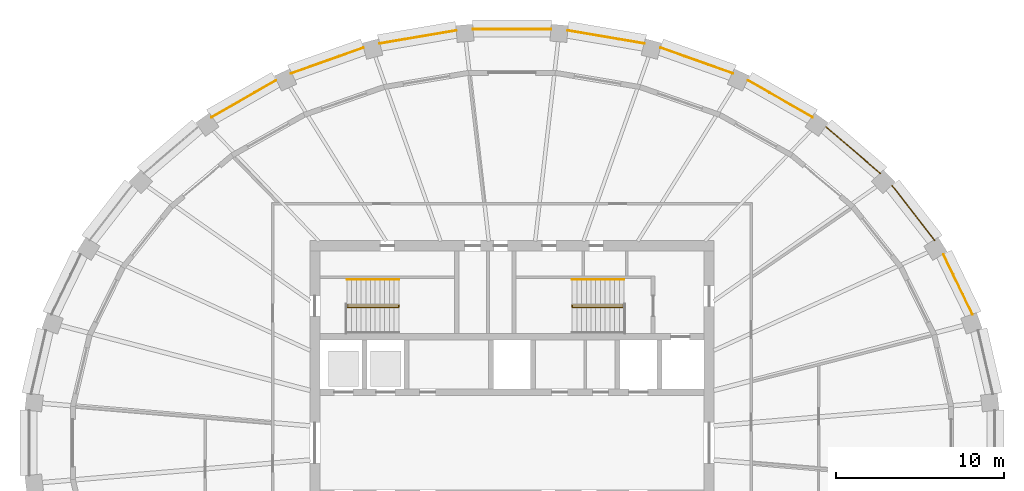
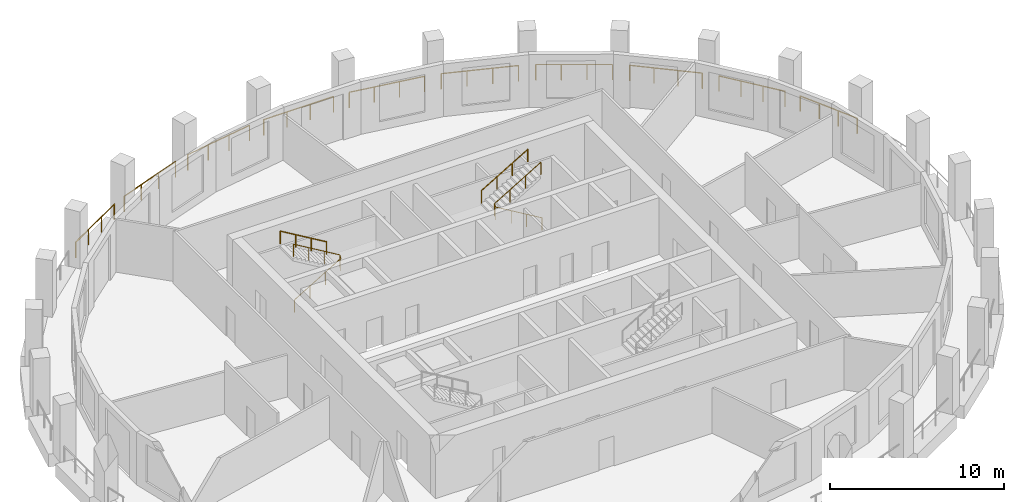
# One storey, part 9 of 10: 14 railings.
"""IFC4 building model written with IfcOpenShell, lengths in metres."""

from ifc_helpers import new_model, si_unit, direction, frame, origin, origin_2d, place, context, subcontext, project, spatial, circle, extrude, material, type_object, element, save


model = new_model("IFC4")

# Units and contexts
model_context = context("Model", 3, precision=1e-05, world=origin(), true_north=direction((0.0, 1.0)))
body_context = subcontext(model_context, "Body", "Model", "MODEL_VIEW")
ifc_project = project(units=[si_unit("LENGTHUNIT", "METRE"), si_unit("AREAUNIT", "SQUARE_METRE"), si_unit("VOLUMEUNIT", "CUBIC_METRE"), si_unit("PLANEANGLEUNIT", "RADIAN"), si_unit("MASSUNIT", "GRAM", prefix="KILO")], contexts=[model_context])

# Site, building, storey
site_placement = place(None, origin())
site = spatial("IfcSite", under=ifc_project, at=site_placement, CompositionType="ELEMENT")
building_placement = place(site_placement, origin())
building = spatial("IfcBuilding", under=site, at=building_placement, Name="Halqa Exchange Tower", CompositionType="ELEMENT")
storey_placement = place(building_placement, frame((0.0, 0.0, 312.300048828125)))
storey = spatial("IfcBuildingStorey", under=building, at=storey_placement, Name="L73", CompositionType="ELEMENT", Elevation=312.300048828125)

# Railings
ifc_material = material(Name="Stainless steel", Category="steel")
railing_type_1 = type_object("IfcRailingType", Name="Guard 1100 stainless steel", PredefinedType="GUARDRAIL", material=ifc_material)
railing_1_placement = place(storey_placement, frame((27.337646484375, 7.614990234375, 0.0)))
element("IfcRailing", 1, at=railing_1_placement, inside=storey, type_object=railing_type_1, Name="Loggia guard 2", PredefinedType="GUARDRAIL", context=body_context, shape_type="SweptSolid", body=[
    extrude(circle(Radius=0.02392578125, at=origin_2d()), frame((0.0, 0.0, 1.076171875), z_axis=(-0.435127892991, 0.900368656019, 0.0), x_axis=(-0.900368656019, -0.435127892991, 0.0)), (0.0, 0.0, 1.0), 3.964599609375),
    extrude(circle(Radius=0.02099609375, at=origin_2d()), origin(), (0.0, 0.0, 1.0), 1.052001953125),
    extrude(circle(Radius=0.02099609375, at=origin_2d()), frame((-0.574951171875, 1.18994140625, 0.0)), (0.0, 0.0, 1.0), 1.052001953125),
    extrude(circle(Radius=0.02099609375, at=origin_2d()), frame((-1.150146484375, 2.379638671875, 0.0)), (0.0, 0.0, 1.0), 1.052001953125),
    extrude(circle(Radius=0.02099609375, at=origin_2d()), frame((-1.72509765625, 3.569580078125, 0.0)), (0.0, 0.0, 1.0), 1.052001953125),
])
railing_2_placement = place(storey_placement, frame((25.087646484375, 12.029052734375, 0.0)))
element("IfcRailing", 2, at=railing_2_placement, inside=storey, type_object=railing_type_1, Name="Loggia guard 3", PredefinedType="GUARDRAIL", context=body_context, shape_type="SweptSolid", body=[
    extrude(circle(Radius=0.02392578125, at=origin_2d()), frame((0.0, 0.0, 1.076171875), z_axis=(-0.61479340321, 0.788688196545, 0.0), x_axis=(-0.788688196545, -0.61479340321, 0.0)), (0.0, 0.0, 1.0), 4.10107421875),
    extrude(circle(Radius=0.02099609375, at=origin_2d()), origin(), (0.0, 0.0, 1.0), 1.052001953125),
    extrude(circle(Radius=0.02099609375, at=origin_2d()), frame((-0.84033203125, 1.078125, 0.0)), (0.0, 0.0, 1.0), 1.052001953125),
    extrude(circle(Radius=0.02099609375, at=origin_2d()), frame((-1.680908203125, 2.15625, 0.0)), (0.0, 0.0, 1.0), 1.052001953125),
    extrude(circle(Radius=0.02099609375, at=origin_2d()), frame((-2.521240234375, 3.234375, 0.0)), (0.0, 0.0, 1.0), 1.052001953125),
])
railing_3_placement = place(storey_placement, frame((21.879150390625, 15.983154296875, 0.0)))
element("IfcRailing", 3, at=railing_3_placement, inside=storey, type_object=railing_type_1, Name="Loggia guard 4", PredefinedType="GUARDRAIL", context=body_context, shape_type="SweptSolid", body=[
    extrude(circle(Radius=0.02392578125, at=origin_2d()), frame((0.0, 0.0, 1.076171875), z_axis=(-0.759248505923, 0.650800819187, 0.0), x_axis=(-0.650800819187, -0.759248505923, 0.0)), (0.0, 0.0, 1.0), 4.257080078125),
    extrude(circle(Radius=0.02099609375, at=origin_2d()), origin(), (0.0, 0.0, 1.0), 1.052001953125),
    extrude(circle(Radius=0.02099609375, at=origin_2d()), frame((-1.077392578125, 0.923583984375, 0.0)), (0.0, 0.0, 1.0), 1.052001953125),
    extrude(circle(Radius=0.02099609375, at=origin_2d()), frame((-2.15478515625, 1.846923828125, 0.0)), (0.0, 0.0, 1.0), 1.052001953125),
    extrude(circle(Radius=0.02099609375, at=origin_2d()), frame((-3.232177734375, 2.7705078125, 0.0)), (0.0, 0.0, 1.0), 1.052001953125),
])
railing_4_placement = place(storey_placement, frame((17.83349609375, 19.327392578125, 0.0)))
element("IfcRailing", 4, at=railing_4_placement, inside=storey, type_object=railing_type_1, Name="Loggia guard 5", PredefinedType="GUARDRAIL", context=body_context, shape_type="SweptSolid", body=[
    extrude(circle(Radius=0.02392578125, at=origin_2d()), frame((0.0, 0.0, 1.076171875), z_axis=(-0.867748583413, 0.497003416473, 0.0), x_axis=(-0.497003416473, -0.867748583413, 0.0)), (0.0, 0.0, 1.0), 4.40869140625),
    extrude(circle(Radius=0.02099609375, at=origin_2d()), origin(), (0.0, 0.0, 1.0), 1.052001953125),
    extrude(circle(Radius=0.02099609375, at=origin_2d()), frame((-1.275146484375, 0.73046875, 0.0)), (0.0, 0.0, 1.0), 1.052001953125),
    extrude(circle(Radius=0.02099609375, at=origin_2d()), frame((-2.550537109375, 1.460693359375, 0.0)), (0.0, 0.0, 1.0), 1.052001953125),
    extrude(circle(Radius=0.02099609375, at=origin_2d()), frame((-3.82568359375, 2.191162109375, 0.0)), (0.0, 0.0, 1.0), 1.052001953125),
])
railing_5_placement = place(storey_placement, frame((13.102783203125, 21.934326171875, 0.0)))
element("IfcRailing", 5, at=railing_5_placement, inside=storey, type_object=railing_type_1, Name="Loggia guard 6", PredefinedType="GUARDRAIL", context=body_context, shape_type="SweptSolid", body=[
    extrude(circle(Radius=0.02392578125, at=origin_2d()), frame((0.0, 0.0, 1.076171875), z_axis=(-0.942366421866, 0.334582616014, 0.0), x_axis=(-0.334582616014, -0.942366421866, 0.0)), (0.0, 0.0, 1.0), 4.5341796875),
    extrude(circle(Radius=0.02099609375, at=origin_2d()), origin(), (0.0, 0.0, 1.0), 1.052001953125),
    extrude(circle(Radius=0.02099609375, at=origin_2d()), frame((-1.42431640625, 0.505615234375, 0.0)), (0.0, 0.0, 1.0), 1.052001953125),
    extrude(circle(Radius=0.02099609375, at=origin_2d()), frame((-2.8486328125, 1.011474609375, 0.0)), (0.0, 0.0, 1.0), 1.052001953125),
    extrude(circle(Radius=0.02099609375, at=origin_2d()), frame((-4.27294921875, 1.51708984375, 0.0)), (0.0, 0.0, 1.0), 1.052001953125),
])
railing_6_placement = place(storey_placement, frame((7.865966796875, 23.702880859375, 0.0)))
element("IfcRailing", 6, at=railing_6_placement, inside=storey, type_object=railing_type_1, Name="Loggia guard 7", PredefinedType="GUARDRAIL", context=body_context, shape_type="SweptSolid", body=[
    extrude(circle(Radius=0.02392578125, at=origin_2d()), frame((0.0, 0.0, 1.076171875), z_axis=(-0.985784105036, 0.168016958246, 0.0), x_axis=(-0.168016958246, -0.985784105036, 0.0)), (0.0, 0.0, 1.0), 4.616455078125),
    extrude(circle(Radius=0.02099609375, at=origin_2d()), origin(), (0.0, 0.0, 1.0), 1.052001953125),
    extrude(circle(Radius=0.02099609375, at=origin_2d()), frame((-1.516845703125, 0.258544921875, 0.0)), (0.0, 0.0, 1.0), 1.052001953125),
    extrude(circle(Radius=0.02099609375, at=origin_2d()), frame((-3.033935546875, 0.51708984375, 0.0)), (0.0, 0.0, 1.0), 1.052001953125),
    extrude(circle(Radius=0.02099609375, at=origin_2d()), frame((-4.55078125, 0.775634765625, 0.0)), (0.0, 0.0, 1.0), 1.052001953125),
])
railing_7_placement = place(storey_placement, frame((2.322509765625, 24.562744140625, 0.0)))
element("IfcRailing", 7, at=railing_7_placement, inside=storey, type_object=railing_type_1, Name="Loggia guard 8", PredefinedType="GUARDRAIL", context=body_context, shape_type="SweptSolid", body=[
    extrude(circle(Radius=0.02392578125, at=origin_2d()), frame((0.0, 0.0, 1.076171875), z_axis=(-1.0, 0.0, 0.0), x_axis=(0.0, -1.0, 0.0)), (0.0, 0.0, 1.0), 4.64501953125),
    extrude(circle(Radius=0.02099609375, at=origin_2d()), origin(), (0.0, 0.0, 1.0), 1.052001953125),
    extrude(circle(Radius=0.02099609375, at=origin_2d()), frame((-1.54833984375, 0.0, 0.0)), (0.0, 0.0, 1.0), 1.052001953125),
    extrude(circle(Radius=0.02099609375, at=origin_2d()), frame((-3.0966796875, 0.0, 0.0)), (0.0, 0.0, 1.0), 1.052001953125),
    extrude(circle(Radius=0.02099609375, at=origin_2d()), frame((-4.64501953125, 0.0, 0.0)), (0.0, 0.0, 1.0), 1.052001953125),
])
railing_8_placement = place(storey_placement, frame((-3.315185546875, 24.478515625, 0.0)))
element("IfcRailing", 8, at=railing_8_placement, inside=storey, type_object=railing_type_1, Name="Loggia guard 9", PredefinedType="GUARDRAIL", context=body_context, shape_type="SweptSolid", body=[
    extrude(circle(Radius=0.02392578125, at=origin_2d()), frame((0.0, 0.0, 1.076171875), z_axis=(-0.985784105036, -0.168016958246, 0.0), x_axis=(0.168016958246, -0.985784105036, 0.0)), (0.0, 0.0, 1.0), 4.616455078125),
    extrude(circle(Radius=0.02099609375, at=origin_2d()), origin(), (0.0, 0.0, 1.0), 1.052001953125),
    extrude(circle(Radius=0.02099609375, at=origin_2d()), frame((-1.516845703125, -0.258544921875, 0.0)), (0.0, 0.0, 1.0), 1.052001953125),
    extrude(circle(Radius=0.02099609375, at=origin_2d()), frame((-3.033935546875, -0.51708984375, 0.0)), (0.0, 0.0, 1.0), 1.052001953125),
    extrude(circle(Radius=0.02099609375, at=origin_2d()), frame((-4.55078125, -0.775634765625, 0.0)), (0.0, 0.0, 1.0), 1.052001953125),
])
railing_9_placement = place(storey_placement, frame((-8.829833984375, 23.451416015625, 0.0)))
element("IfcRailing", 9, at=railing_9_placement, inside=storey, type_object=railing_type_1, Name="Loggia guard 10", PredefinedType="GUARDRAIL", context=body_context, shape_type="SweptSolid", body=[
    extrude(circle(Radius=0.02392578125, at=origin_2d()), frame((0.0, 0.0, 1.076171875), z_axis=(-0.942366421866, -0.334582616014, 0.0), x_axis=(0.334582616014, -0.942366421866, 0.0)), (0.0, 0.0, 1.0), 4.5341796875),
    extrude(circle(Radius=0.02099609375, at=origin_2d()), origin(), (0.0, 0.0, 1.0), 1.052001953125),
    extrude(circle(Radius=0.02099609375, at=origin_2d()), frame((-1.42431640625, -0.505615234375, 0.0)), (0.0, 0.0, 1.0), 1.052001953125),
    extrude(circle(Radius=0.02099609375, at=origin_2d()), frame((-2.8486328125, -1.011474609375, 0.0)), (0.0, 0.0, 1.0), 1.052001953125),
    extrude(circle(Radius=0.02099609375, at=origin_2d()), frame((-4.27294921875, -1.51708984375, 0.0)), (0.0, 0.0, 1.0), 1.052001953125),
])
railing_10_placement = place(storey_placement, frame((-14.0078125, 21.5185546875, 0.0)))
element("IfcRailing", 10, at=railing_10_placement, inside=storey, type_object=railing_type_1, Name="Loggia guard 11", PredefinedType="GUARDRAIL", context=body_context, shape_type="SweptSolid", body=[
    extrude(circle(Radius=0.02392578125, at=origin_2d()), frame((0.0, 0.0, 1.076171875), z_axis=(-0.867748583413, -0.497003416473, 0.0), x_axis=(0.497003416473, -0.867748583413, 0.0)), (0.0, 0.0, 1.0), 4.40869140625),
    extrude(circle(Radius=0.02099609375, at=origin_2d()), origin(), (0.0, 0.0, 1.0), 1.052001953125),
    extrude(circle(Radius=0.02099609375, at=origin_2d()), frame((-1.275146484375, -0.73046875, 0.0)), (0.0, 0.0, 1.0), 1.052001953125),
    extrude(circle(Radius=0.02099609375, at=origin_2d()), frame((-2.550537109375, -1.460693359375, 0.0)), (0.0, 0.0, 1.0), 1.052001953125),
    extrude(circle(Radius=0.02099609375, at=origin_2d()), frame((-3.82568359375, -2.191162109375, 0.0)), (0.0, 0.0, 1.0), 1.052001953125),
])
railing_type_2 = type_object("IfcRailingType", Name="Stair handrail 900", PredefinedType="HANDRAIL", material=ifc_material)
railing_11_placement = place(storey_placement, frame((-9.800048828125, 8.06005859375, 0.166748046875)))
element("IfcRailing", 11, at=railing_11_placement, inside=storey, type_object=railing_type_2, Name="Handrail ST1.1", PredefinedType="HANDRAIL", context=body_context, shape_type="SweptSolid", body=[
    extrude(circle(Radius=0.02392578125, at=origin_2d()), frame((0.0, 0.0, 0.8759765625), z_axis=(0.859308565015, 0.0, 0.511457515432), x_axis=(0.0, 1.0, 0.0)), (0.0, 0.0, 1.0), 3.58447265625),
    extrude(circle(Radius=0.02392578125, at=origin_2d()), frame((3.080078125, 0.0, 2.708984375), z_axis=(0.0, 0.614500226555, 0.788916644243), x_axis=(-1.0, 0.0, 0.0)), (0.0, 0.0, 1.0), 0.21142578125),
    extrude(circle(Radius=0.02392578125, at=origin_2d()), frame((3.080078125, 0.1298828125, 2.8759765625), z_axis=(-0.859308565015, 0.0, 0.511457515432), x_axis=(0.0, -1.0, 0.0)), (0.0, 0.0, 1.0), 3.58447265625),
    extrude(circle(Radius=0.02099609375, at=origin_2d()), origin(), (0.0, 0.0, 1.0), 0.851806640625),
    extrude(circle(Radius=0.02099609375, at=origin_2d()), frame((1.026611328125, 0.0, 0.611083984375)), (0.0, 0.0, 1.0), 0.851806640625),
    extrude(circle(Radius=0.02099609375, at=origin_2d()), frame((2.053466796875, 0.0, 1.22216796875)), (0.0, 0.0, 1.0), 0.851806640625),
    extrude(circle(Radius=0.02099609375, at=origin_2d()), frame((3.080078125, 0.0, 1.833251953125)), (0.0, 0.0, 1.0), 0.851806640625),
    extrude(circle(Radius=0.02099609375, at=origin_2d()), frame((3.080078125, 0.1298828125, 2.0)), (0.0, 0.0, 1.0), 0.851806640625),
    extrude(circle(Radius=0.02099609375, at=origin_2d()), frame((2.053466796875, 0.1298828125, 2.611083984375)), (0.0, 0.0, 1.0), 0.851806640625),
    extrude(circle(Radius=0.02099609375, at=origin_2d()), frame((1.026611328125, 0.1298828125, 3.22216796875)), (0.0, 0.0, 1.0), 0.851806640625),
    extrude(circle(Radius=0.02099609375, at=origin_2d()), frame((0.0, 0.1298828125, 3.833251953125)), (0.0, 0.0, 1.0), 0.851806640625),
])
railing_12_placement = place(storey_placement, frame((-6.719970703125, 9.699951171875, 2.166748046875)))
element("IfcRailing", 12, at=railing_12_placement, inside=storey, type_object=railing_type_2, Name="Handrail ST1.3", PredefinedType="HANDRAIL", context=body_context, shape_type="SweptSolid", body=[
    extrude(circle(Radius=0.02392578125, at=origin_2d()), frame((0.0, 0.0, 0.8759765625), z_axis=(-0.859308565015, 0.0, 0.511457515432), x_axis=(0.0, -1.0, 0.0)), (0.0, 0.0, 1.0), 3.58447265625),
    extrude(circle(Radius=0.02099609375, at=origin_2d()), origin(), (0.0, 0.0, 1.0), 0.851806640625),
    extrude(circle(Radius=0.02099609375, at=origin_2d()), frame((-1.026611328125, 0.0, 0.611083984375)), (0.0, 0.0, 1.0), 0.851806640625),
    extrude(circle(Radius=0.02099609375, at=origin_2d()), frame((-2.053466796875, 0.0, 1.22216796875)), (0.0, 0.0, 1.0), 0.851806640625),
    extrude(circle(Radius=0.02099609375, at=origin_2d()), frame((-3.080078125, 0.0, 1.833251953125)), (0.0, 0.0, 1.0), 0.851806640625),
])
railing_13_placement = place(storey_placement, frame((6.64990234375, 8.06005859375, 0.166748046875)))
element("IfcRailing", 13, at=railing_13_placement, inside=storey, type_object=railing_type_2, Name="Handrail ST2.1", PredefinedType="HANDRAIL", context=body_context, shape_type="SweptSolid", body=[
    extrude(circle(Radius=0.02392578125, at=origin_2d()), frame((0.0, 0.0, 0.8759765625), z_axis=(-0.859290745958, 0.0, 0.51148745235), x_axis=(0.0, -1.0, 0.0)), (0.0, 0.0, 1.0), 3.584228515625),
    extrude(circle(Radius=0.02392578125, at=origin_2d()), frame((-3.079833984375, 0.0, 2.708984375), z_axis=(0.0, 0.614500226555, 0.788916644243), x_axis=(-1.0, 0.0, 0.0)), (0.0, 0.0, 1.0), 0.21142578125),
    extrude(circle(Radius=0.02392578125, at=origin_2d()), frame((-3.079833984375, 0.1298828125, 2.8759765625), z_axis=(0.859290745958, 0.0, 0.51148745235), x_axis=(0.0, 1.0, 0.0)), (0.0, 0.0, 1.0), 3.584228515625),
    extrude(circle(Radius=0.02099609375, at=origin_2d()), origin(), (0.0, 0.0, 1.0), 0.851806640625),
    extrude(circle(Radius=0.02099609375, at=origin_2d()), frame((-1.026611328125, 0.0, 0.611083984375)), (0.0, 0.0, 1.0), 0.851806640625),
    extrude(circle(Radius=0.02099609375, at=origin_2d()), frame((-2.05322265625, 0.0, 1.22216796875)), (0.0, 0.0, 1.0), 0.851806640625),
    extrude(circle(Radius=0.02099609375, at=origin_2d()), frame((-3.079833984375, 0.0, 1.833251953125)), (0.0, 0.0, 1.0), 0.851806640625),
    extrude(circle(Radius=0.02099609375, at=origin_2d()), frame((-3.079833984375, 0.1298828125, 2.0)), (0.0, 0.0, 1.0), 0.851806640625),
    extrude(circle(Radius=0.02099609375, at=origin_2d()), frame((-2.05322265625, 0.1298828125, 2.611083984375)), (0.0, 0.0, 1.0), 0.851806640625),
    extrude(circle(Radius=0.02099609375, at=origin_2d()), frame((-1.026611328125, 0.1298828125, 3.22216796875)), (0.0, 0.0, 1.0), 0.851806640625),
    extrude(circle(Radius=0.02099609375, at=origin_2d()), frame((0.0, 0.1298828125, 3.833251953125)), (0.0, 0.0, 1.0), 0.851806640625),
])
railing_14_placement = place(storey_placement, frame((3.570068359375, 9.699951171875, 2.166748046875)))
element("IfcRailing", 14, at=railing_14_placement, inside=storey, type_object=railing_type_2, Name="Handrail ST2.3", PredefinedType="HANDRAIL", context=body_context, shape_type="SweptSolid", body=[
    extrude(circle(Radius=0.02392578125, at=origin_2d()), frame((0.0, 0.0, 0.8759765625), z_axis=(0.859290745958, 0.0, 0.51148745235), x_axis=(0.0, 1.0, 0.0)), (0.0, 0.0, 1.0), 3.584228515625),
    extrude(circle(Radius=0.02099609375, at=origin_2d()), origin(), (0.0, 0.0, 1.0), 0.851806640625),
    extrude(circle(Radius=0.02099609375, at=origin_2d()), frame((1.026611328125, 0.0, 0.611083984375)), (0.0, 0.0, 1.0), 0.851806640625),
    extrude(circle(Radius=0.02099609375, at=origin_2d()), frame((2.05322265625, 0.0, 1.22216796875)), (0.0, 0.0, 1.0), 0.851806640625),
    extrude(circle(Radius=0.02099609375, at=origin_2d()), frame((3.079833984375, 0.0, 1.833251953125)), (0.0, 0.0, 1.0), 0.851806640625),
])

save(model, "model.ifc")
